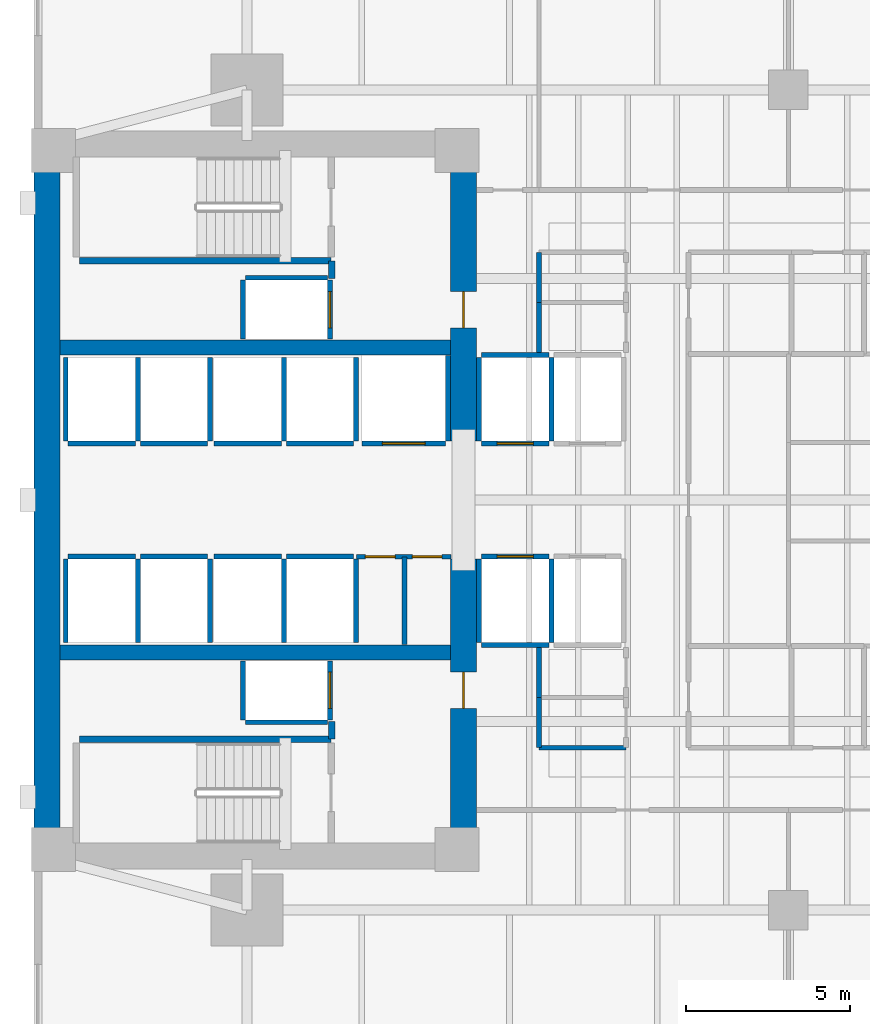
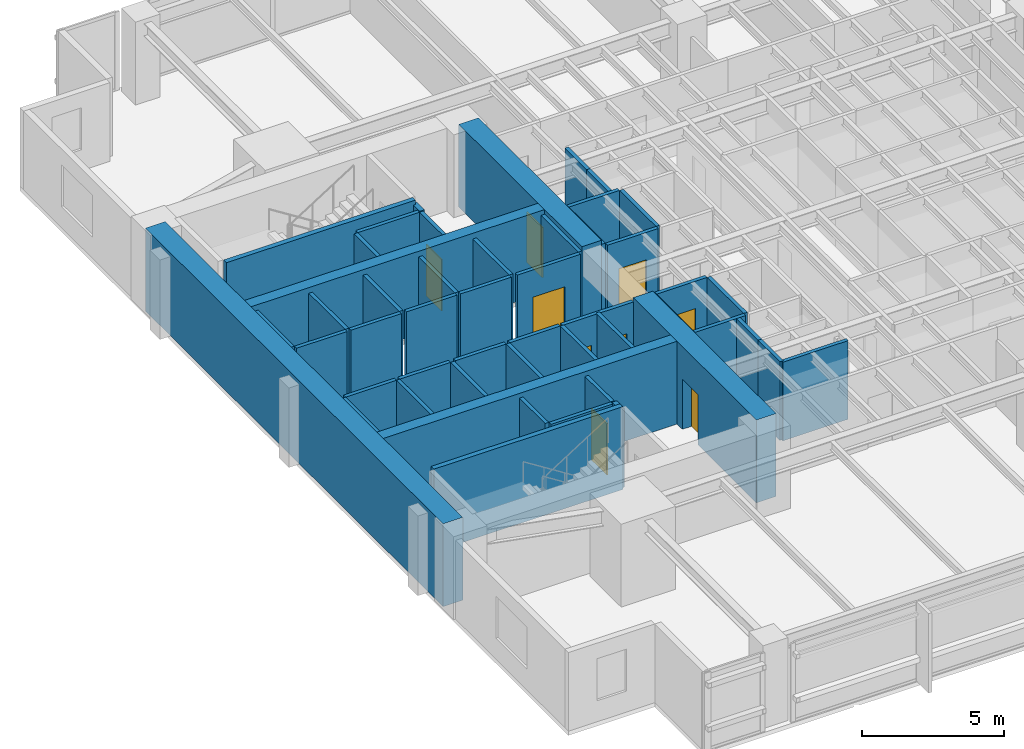
# One storey, part 8 of 15: 50 walls, 9 doors, 9 openings.
"""IFC4 building model written with IfcOpenShell, lengths in metres."""

from ifc_helpers import new_model, si_unit, direction, frame, frame_2d, origin, place, context, subcontext, project, spatial, rectangle, extrude, material, layer, layer_set, type_object, element, fill, save


model = new_model("IFC4")

# Units and contexts
model_context = context("Model", 3, precision=1e-05, world=origin(), true_north=direction((0.0, 1.0)))
body_context = subcontext(model_context, "Body", "Model", "MODEL_VIEW")
ifc_project = project(units=[si_unit("LENGTHUNIT", "METRE"), si_unit("AREAUNIT", "SQUARE_METRE"), si_unit("VOLUMEUNIT", "CUBIC_METRE"), si_unit("PLANEANGLEUNIT", "RADIAN"), si_unit("MASSUNIT", "GRAM", prefix="KILO")], contexts=[model_context])

# Site, building, storey
site_placement = place(None, origin())
site = spatial("IfcSite", under=ifc_project, at=site_placement, CompositionType="ELEMENT")
building_placement = place(site_placement, origin())
building = spatial("IfcBuilding", under=site, at=building_placement, Name="Kinhvarn Gate Tower", CompositionType="ELEMENT")
storey_placement = place(building_placement, frame((0.0, 0.0, 68.199951171875)))
storey = spatial("IfcBuildingStorey", under=building, at=storey_placement, Name="L17", CompositionType="ELEMENT", Elevation=68.199951171875)

# Walls
ifc_material_1 = material(Name="Concrete C50/60", Category="concrete")
ifc_layer_1 = layer(ifc_material_1, 0.449951171875)
ifc_layer_set_1 = layer_set([ifc_layer_1], Name="Concrete C50/60")
wall_type_1 = type_object("IfcWallType", Name="WL-CORE-450", PredefinedType="SHEAR", material=ifc_layer_set_1)
for number, where, z_axis, x_axis, name in (
    (1, (5.300048828125, 20.60009765625, 0.0), (0.0, 0.0, 1.0), (1.0, 0.0, 0.0), "Core South Spine Shear Wall L17 450 mm"),
    (2, (5.300048828125, 29.89990234375, 0.0), (0.0, 0.0, 1.0), (1.0, 0.0, 0.0), "Core North Spine Shear Wall L17 450 mm"),
):
    element("IfcWall", number, at=place(storey_placement, frame(where, z_axis=z_axis, x_axis=x_axis)), inside=storey, type_object=wall_type_1, Name=name, PredefinedType="SHEAR", context=body_context, shape_type="SweptSolid", body=[
        extrude(rectangle(XDim=11.89990234375, YDim=0.449951171875, at=frame_2d((5.949951171875, 0.0))), origin(), (0.0, 0.0, 1.0), 3.550048828125),
    ])

# Wall, opening, door
ifc_material_2 = material(Name="Concrete C70/85", Category="concrete")
ifc_layer_2 = layer(ifc_material_2, 0.800048828125)
ifc_layer_set_2 = layer_set([ifc_layer_2], Name="Concrete C70/85")
wall_type_2 = type_object("IfcWallType", Name="WL-CORE-800", PredefinedType="SHEAR", material=ifc_layer_set_2)
wall_1_placement = place(storey_placement, frame((17.60009765625, 14.800048828125, 0.0), z_axis=(0.0, 0.0, 1.0), x_axis=(0.0, 1.0, 0.0)))
wall_1 = element("IfcWall", 3, at=wall_1_placement, inside=storey, type_object=wall_type_2, Name="Core East-South Shear Pier L17 800 mm", PredefinedType="SHEAR", context=body_context, shape_type="SweptSolid", body=[
    extrude(rectangle(XDim=8.64990234375, YDim=0.800048828125, at=frame_2d((4.324951171875, 0.0))), origin(), (0.0, 0.0, 1.0), 3.550048828125),
])
opening_1_placement = place(wall_1_placement, frame((4.10009765625, 0.0, 0.0)))
opening_1 = element("IfcOpeningElement", 4, at=opening_1_placement, cuts=wall_1, Name="Opening FD-02", PredefinedType="OPENING", context=body_context, shape_type="SweptSolid", body=[
    extrude(rectangle(XDim=1.10009765625, YDim=2.14990234375, at=frame_2d((0.550048828125, 1.074951171875))), frame((0.0, 0.41015625, 0.0), z_axis=(0.0, -1.0, 0.0), x_axis=(1.0, 0.0, 0.0)), (0.0, 0.0, 1.0), 0.820068359375),
])
ifc_material_3 = material(Name="Anodised aluminium AW-6063", Category="aluminium")
door_type_1 = type_object("IfcDoorType", Name="DR-FD-1100", OperationType="NOTDEFINED", PredefinedType="DOOR", material=ifc_material_3)
door_1_placement = place(opening_1_placement, origin())
door_1 = element("IfcDoor", 5, at=door_1_placement, inside=storey, type_object=door_type_1, Name="Firefighting Lobby Core Door (L17)", OperationType="SINGLE_SWING_RIGHT", OverallHeight=2.14990234375, OverallWidth=1.10009765625, PredefinedType="DOOR", context=body_context, shape_type="SweptSolid", body=[
    extrude(rectangle(XDim=1.10009765625, YDim=2.14990234375, at=frame_2d((0.550048828125, 1.074951171875))), frame((0.0, 0.02490234375, 0.0), z_axis=(0.0, -1.0, 0.0), x_axis=(1.0, 0.0, 0.0)), (0.0, 0.0, 1.0), 0.050048828125),
])
fill(opening_1, door_1)

wall_2_placement = place(storey_placement, frame((17.60009765625, 27.050048828125, 0.0), z_axis=(0.0, 0.0, 1.0), x_axis=(0.0, 1.0, 0.0)))
wall_2 = element("IfcWall", 6, at=wall_2_placement, inside=storey, type_object=wall_type_2, Name="Core East-North Shear Pier L17 800 mm", PredefinedType="SHEAR", context=body_context, shape_type="SweptSolid", body=[
    extrude(rectangle(XDim=8.64990234375, YDim=0.800048828125, at=frame_2d((4.324951171875, 0.0))), origin(), (0.0, 0.0, 1.0), 3.550048828125),
])
opening_2_placement = place(wall_2_placement, frame((3.449951171875, 0.0, 0.0)))
opening_2 = element("IfcOpeningElement", 7, at=opening_2_placement, cuts=wall_2, Name="Opening FD-02", PredefinedType="OPENING", context=body_context, shape_type="SweptSolid", body=[
    extrude(rectangle(XDim=1.10009765625, YDim=2.14990234375, at=frame_2d((0.550048828125, 1.074951171875))), frame((0.0, 0.41015625, 0.0), z_axis=(0.0, -1.0, 0.0), x_axis=(1.0, 0.0, 0.0)), (0.0, 0.0, 1.0), 0.820068359375),
])
door_2_placement = place(opening_2_placement, origin())
door_2 = element("IfcDoor", 8, at=door_2_placement, inside=storey, type_object=door_type_1, Name="Firefighting Lobby Core Door (L17)", OperationType="SINGLE_SWING_LEFT", OverallHeight=2.14990234375, OverallWidth=1.10009765625, PredefinedType="DOOR", context=body_context, shape_type="SweptSolid", body=[
    extrude(rectangle(XDim=1.10009765625, YDim=2.14990234375, at=frame_2d((0.550048828125, 1.074951171875))), frame((0.0, 0.02490234375, 0.0), z_axis=(0.0, -1.0, 0.0), x_axis=(1.0, 0.0, 0.0)), (0.0, 0.0, 1.0), 0.050048828125),
])
fill(opening_2, door_2)

# Walls
ifc_layer_3 = layer(ifc_material_2, 0.800048828125)
ifc_layer_set_3 = layer_set([ifc_layer_3], Name="Concrete C70/85")
wall_type_3 = type_object("IfcWallType", Name="WL-COREX-800", PredefinedType="SHEAR", material=ifc_layer_set_3)
wall_3_placement = place(storey_placement, frame((4.89990234375, 14.800048828125, 0.0), z_axis=(0.0, 0.0, 1.0), x_axis=(0.0, 1.0, 0.0)))
element("IfcWall", 9, at=wall_3_placement, inside=storey, type_object=wall_type_3, Name="Core West Shear Wall L17 800 mm", PredefinedType="SHEAR", context=body_context, shape_type="SweptSolid", body=[
    extrude(rectangle(XDim=20.89990234375, YDim=0.800048828125, at=frame_2d((10.449951171875, 0.0))), origin(), (0.0, 0.0, 1.0), 3.550048828125),
])
ifc_material_4 = material(Name="Gypsum acoustic partition board")
ifc_layer_4 = layer(ifc_material_4, 0.14990234375)
ifc_layer_set_4 = layer_set([ifc_layer_4], Name="Gypsum acoustic partition board")
wall_type_4 = type_object("IfcWallType", Name="WL-PRT-150F", PredefinedType="PARTITIONING", material=ifc_layer_set_4)
wall_4_placement = place(storey_placement, frame((15.800048828125, 20.85009765625, 0.0), z_axis=(0.0, 0.0, 1.0), x_axis=(0.0, 1.0, 0.0)))
element("IfcWall", 10, at=wall_4_placement, inside=storey, type_object=wall_type_4, Name="Interior Partition PW-150F (L17)", PredefinedType="PARTITIONING", context=body_context, shape_type="SweptSolid", body=[
    extrude(rectangle(XDim=2.669921875, YDim=0.14990234375, at=frame_2d((1.3349609375, 0.0))), origin(), (0.0, 0.0, 1.0), 3.3701171875),
])

# Wall, openings, doors
wall_5_placement = place(storey_placement, frame((14.330078125, 23.52001953125, 0.0), z_axis=(0.0, 0.0, 1.0), x_axis=(1.0, 0.0, 0.0)))
wall_5 = element("IfcWall", 11, at=wall_5_placement, inside=storey, type_object=wall_type_4, Name="Interior Partition PW-150F (L17)", PredefinedType="PARTITIONING", context=body_context, shape_type="SweptSolid", body=[
    extrude(rectangle(XDim=2.889892578125, YDim=0.14990234375, at=frame_2d((1.44482421875, 0.0))), origin(), (0.0, 0.0, 1.0), 3.3701171875),
])
opening_3_placement = place(wall_5_placement, frame((0.280029296875, 0.0, 0.0)))
opening_3 = element("IfcOpeningElement", 12, at=opening_3_placement, cuts=wall_5, Name="Opening FD-04", PredefinedType="OPENING", context=body_context, shape_type="SweptSolid", body=[
    extrude(rectangle(XDim=0.89990234375, YDim=2.10009765625, at=frame_2d((0.449951171875, 1.050048828125))), frame((0.0, 0.0849609375, 0.0), z_axis=(0.0, -1.0, 0.0), x_axis=(1.0, 0.0, 0.0)), (0.0, 0.0, 1.0), 0.169921875),
])
opening_4_placement = place(wall_5_placement, frame((1.7099609375, 0.0, 0.0)))
opening_4 = element("IfcOpeningElement", 13, at=opening_4_placement, cuts=wall_5, Name="Opening FD-04", PredefinedType="OPENING", context=body_context, shape_type="SweptSolid", body=[
    extrude(rectangle(XDim=0.89990234375, YDim=2.10009765625, at=frame_2d((0.449951171875, 1.050048828125))), frame((0.0, 0.0849609375, 0.0), z_axis=(0.0, -1.0, 0.0), x_axis=(1.0, 0.0, 0.0)), (0.0, 0.0, 1.0), 0.169921875),
])
door_type_2 = type_object("IfcDoorType", Name="DR-FD-900", OperationType="NOTDEFINED", PredefinedType="DOOR", material=ifc_material_3)
door_3_placement = place(opening_3_placement, origin())
door_3 = element("IfcDoor", 14, at=door_3_placement, inside=storey, type_object=door_type_2, Name="Rated Riser & Service Closet Fire Door 900x2100 mm (L17)", OperationType="SINGLE_SWING_RIGHT", OverallHeight=2.10009765625, OverallWidth=0.89990234375, PredefinedType="DOOR", context=body_context, shape_type="SweptSolid", body=[
    extrude(rectangle(XDim=0.89990234375, YDim=2.10009765625, at=frame_2d((0.449951171875, 1.050048828125))), frame((0.0, 0.02490234375, 0.0), z_axis=(0.0, -1.0, 0.0), x_axis=(1.0, 0.0, 0.0)), (0.0, 0.0, 1.0), 0.050048828125),
])
fill(opening_3, door_3)
door_4_placement = place(opening_4_placement, origin())
door_4 = element("IfcDoor", 15, at=door_4_placement, inside=storey, type_object=door_type_2, Name="Rated Riser & Service Closet Fire Door 900x2100 mm (L17)", OperationType="SINGLE_SWING_LEFT", OverallHeight=2.10009765625, OverallWidth=0.89990234375, PredefinedType="DOOR", context=body_context, shape_type="SweptSolid", body=[
    extrude(rectangle(XDim=0.89990234375, YDim=2.10009765625, at=frame_2d((0.449951171875, 1.050048828125))), frame((0.0, 0.02490234375, 0.0), z_axis=(0.0, -1.0, 0.0), x_axis=(1.0, 0.0, 0.0)), (0.0, 0.0, 1.0), 0.050048828125),
])
fill(opening_4, door_4)

# Walls
wall_6_placement = place(storey_placement, frame((19.89990234375, 17.699951171875, 0.0), z_axis=(0.0, 0.0, 1.0), x_axis=(0.0, 1.0, 0.0)))
element("IfcWall", 16, at=wall_6_placement, inside=storey, type_object=wall_type_4, Name="Interior Partition PW-150F (L17)", PredefinedType="PARTITIONING", context=body_context, shape_type="SweptSolid", body=[
    extrude(rectangle(XDim=1.530029296875, YDim=0.14990234375, at=frame_2d((0.76513671875, 0.0))), origin(), (0.0, 0.0, 1.0), 3.3701171875),
])
for number, where, z_axis, x_axis, name in (
    (17, (19.89990234375, 19.22998046875, 0.0), (0.0, 0.0, 1.0), (0.0, 1.0, 0.0), "Interior Partition PW-150F (L17)"),
    (18, (19.89990234375, 29.75, 0.0), (0.0, 0.0, 1.0), (0.0, 1.0, 0.0), "Interior Partition PW-150F (L17)"),
):
    element("IfcWall", number, at=place(storey_placement, frame(where, z_axis=z_axis, x_axis=x_axis)), inside=storey, type_object=wall_type_4, Name=name, PredefinedType="PARTITIONING", context=body_context, shape_type="SweptSolid", body=[
        extrude(rectangle(XDim=1.52001953125, YDim=0.14990234375, at=frame_2d((0.760009765625, 0.0))), origin(), (0.0, 0.0, 1.0), 3.3701171875),
    ])
wall_7_placement = place(storey_placement, frame((19.89990234375, 31.27001953125, 0.0), z_axis=(0.0, 0.0, 1.0), x_axis=(0.0, 1.0, 0.0)))
element("IfcWall", 19, at=wall_7_placement, inside=storey, type_object=wall_type_4, Name="Interior Partition PW-150F (L17)", PredefinedType="PARTITIONING", context=body_context, shape_type="SweptSolid", body=[
    extrude(rectangle(XDim=1.530029296875, YDim=0.14990234375, at=frame_2d((0.76513671875, 0.0))), origin(), (0.0, 0.0, 1.0), 3.3701171875),
])
wall_8_placement = place(storey_placement, frame((19.89990234375, 17.699951171875, 0.0), z_axis=(0.0, 0.0, 1.0), x_axis=(1.0, 0.0, 0.0)))
element("IfcWall", 20, at=wall_8_placement, inside=storey, type_object=wall_type_4, Name="Interior Partition PW-150F (L17)", PredefinedType="PARTITIONING", context=body_context, shape_type="SweptSolid", body=[
    extrude(rectangle(XDim=2.650146484375, YDim=0.14990234375, at=frame_2d((1.3251953125, 0.0))), origin(), (0.0, 0.0, 1.0), 3.3701171875),
])
ifc_layer_5 = layer(ifc_material_4, 0.199951171875)
ifc_layer_set_5 = layer_set([ifc_layer_5], Name="Gypsum acoustic partition board")
wall_type_5 = type_object("IfcWallType", Name="WL-PRT-200", PredefinedType="PARTITIONING", material=ifc_layer_set_5)
for number, where, z_axis, x_axis, name in (
    (21, (13.580078125, 17.9599609375, 0.0), (0.0, 0.0, 1.0), (0.0, 1.0, 0.0), "Interior Partition PW-200 (L17)"),
    (22, (13.580078125, 32.0, 0.0), (0.0, 0.0, 1.0), (0.0, 1.0, 0.0), "Interior Partition PW-200 (L17)"),
):
    element("IfcWall", number, at=place(storey_placement, frame(where, z_axis=z_axis, x_axis=x_axis)), inside=storey, type_object=wall_type_5, Name=name, PredefinedType="PARTITIONING", context=body_context, shape_type="SweptSolid", body=[
        extrude(rectangle(XDim=0.5400390625, YDim=0.199951171875, at=frame_2d((0.27001953125, 0.0))), origin(), (0.0, 0.0, 1.0), 3.3701171875),
    ])
ifc_layer_6 = layer(ifc_material_4, 0.14990234375)
ifc_layer_set_6 = layer_set([ifc_layer_6], Name="Gypsum acoustic partition board")
wall_type_6 = type_object("IfcWallType", Name="WL-SHF-150", PredefinedType="PARTITIONING", material=ifc_layer_set_6)
wall_9_placement = place(storey_placement, frame((18.14990234375, 20.824951171875, 0.0), z_axis=(0.0, 0.0, 1.0), x_axis=(1.0, 0.0, 0.0)))
element("IfcWall", 23, at=wall_9_placement, inside=storey, type_object=wall_type_6, Name="Elevator PL-01 Hoistway Wall S (L17)", PredefinedType="PARTITIONING", context=body_context, shape_type="SweptSolid", body=[
    extrude(rectangle(XDim=2.050048828125, YDim=0.14990234375, at=frame_2d((1.02490234375, 0.0))), origin(), (0.0, 0.0, 1.0), 3.3701171875),
])

# Wall, opening, door
wall_10_placement = place(storey_placement, frame((18.14990234375, 23.52490234375, 0.0), z_axis=(0.0, 0.0, 1.0), x_axis=(1.0, 0.0, 0.0)))
wall_10 = element("IfcWall", 24, at=wall_10_placement, inside=storey, type_object=wall_type_6, Name="Elevator PL-01 Landing Wall (L17)", PredefinedType="PARTITIONING", context=body_context, shape_type="SweptSolid", body=[
    extrude(rectangle(XDim=2.050048828125, YDim=0.14990234375, at=frame_2d((1.02490234375, 0.0))), origin(), (0.0, 0.0, 1.0), 3.3701171875),
])
opening_5_placement = place(wall_10_placement, frame((0.47509765625, 0.0, 0.0)))
opening_5 = element("IfcOpeningElement", 25, at=opening_5_placement, cuts=wall_10, Name="Opening LD-01", PredefinedType="OPENING", context=body_context, shape_type="SweptSolid", body=[
    extrude(rectangle(XDim=1.10009765625, YDim=2.199951171875, at=frame_2d((0.550048828125, 1.10009765625))), frame((0.0, 0.0849609375, 0.0), z_axis=(0.0, -1.0, 0.0), x_axis=(1.0, 0.0, 0.0)), (0.0, 0.0, 1.0), 0.169921875),
])
door_type_3 = type_object("IfcDoorType", Name="DR-LND-PAS", OperationType="NOTDEFINED", PredefinedType="DOOR", material=ifc_material_3)
door_5_placement = place(opening_5_placement, origin())
door_5 = element("IfcDoor", 26, at=door_5_placement, inside=storey, type_object=door_type_3, Name="Elevator PL-01 Sliding Landing Door (L17)", OperationType="DOUBLE_DOOR_SLIDING", OverallHeight=2.199951171875, OverallWidth=1.10009765625, PredefinedType="DOOR", context=body_context, shape_type="SweptSolid", body=[
    extrude(rectangle(XDim=1.10009765625, YDim=2.199951171875, at=frame_2d((0.550048828125, 1.10009765625))), frame((0.0, 0.02490234375, 0.0), z_axis=(0.0, -1.0, 0.0), x_axis=(1.0, 0.0, 0.0)), (0.0, 0.0, 1.0), 0.050048828125),
])
fill(opening_5, door_5)

# Walls
for number, where, z_axis, x_axis, name in (
    (27, (18.074951171875, 20.89990234375, 0.0), (0.0, 0.0, 1.0), (0.0, 1.0, 0.0), "Elevator PL-01 Hoistway Wall W (L17)"),
    (28, (20.27490234375, 20.89990234375, 0.0), (0.0, 0.0, 1.0), (0.0, 1.0, 0.0), "Elevator PL-01 Hoistway Wall E (L17)"),
):
    element("IfcWall", number, at=place(storey_placement, frame(where, z_axis=z_axis, x_axis=x_axis)), inside=storey, type_object=wall_type_6, Name=name, PredefinedType="PARTITIONING", context=body_context, shape_type="SweptSolid", body=[
        extrude(rectangle(XDim=2.550048828125, YDim=0.14990234375, at=frame_2d((1.27490234375, 0.0))), origin(), (0.0, 0.0, 1.0), 3.3701171875),
    ])

# Wall, opening, door
wall_11_placement = place(storey_placement, frame((18.14990234375, 26.97509765625, 0.0), z_axis=(0.0, 0.0, 1.0), x_axis=(1.0, 0.0, 0.0)))
wall_11 = element("IfcWall", 29, at=wall_11_placement, inside=storey, type_object=wall_type_6, Name="Elevator PL-03 Landing Wall (L17)", PredefinedType="PARTITIONING", context=body_context, shape_type="SweptSolid", body=[
    extrude(rectangle(XDim=2.050048828125, YDim=0.14990234375, at=frame_2d((1.02490234375, 0.0))), origin(), (0.0, 0.0, 1.0), 3.3701171875),
])
opening_6_placement = place(wall_11_placement, frame((0.47509765625, 0.0, 0.0)))
opening_6 = element("IfcOpeningElement", 30, at=opening_6_placement, cuts=wall_11, Name="Opening LD-01", PredefinedType="OPENING", context=body_context, shape_type="SweptSolid", body=[
    extrude(rectangle(XDim=1.10009765625, YDim=2.199951171875, at=frame_2d((0.550048828125, 1.10009765625))), frame((0.0, 0.0849609375, 0.0), z_axis=(0.0, -1.0, 0.0), x_axis=(1.0, 0.0, 0.0)), (0.0, 0.0, 1.0), 0.169921875),
])
door_6_placement = place(opening_6_placement, origin())
door_6 = element("IfcDoor", 31, at=door_6_placement, inside=storey, type_object=door_type_3, Name="Elevator PL-03 Sliding Landing Door (L17)", OperationType="DOUBLE_DOOR_SLIDING", OverallHeight=2.199951171875, OverallWidth=1.10009765625, PredefinedType="DOOR", context=body_context, shape_type="SweptSolid", body=[
    extrude(rectangle(XDim=1.10009765625, YDim=2.199951171875, at=frame_2d((0.550048828125, 1.10009765625))), frame((0.0, 0.02490234375, 0.0), z_axis=(0.0, -1.0, 0.0), x_axis=(1.0, 0.0, 0.0)), (0.0, 0.0, 1.0), 0.050048828125),
])
fill(opening_6, door_6)

# Walls
wall_12_placement = place(storey_placement, frame((18.14990234375, 29.675048828125, 0.0), z_axis=(0.0, 0.0, 1.0), x_axis=(1.0, 0.0, 0.0)))
element("IfcWall", 32, at=wall_12_placement, inside=storey, type_object=wall_type_6, Name="Elevator PL-03 Hoistway Wall N (L17)", PredefinedType="PARTITIONING", context=body_context, shape_type="SweptSolid", body=[
    extrude(rectangle(XDim=2.050048828125, YDim=0.14990234375, at=frame_2d((1.02490234375, 0.0))), origin(), (0.0, 0.0, 1.0), 3.3701171875),
])
for number, where, z_axis, x_axis, name in (
    (33, (18.074951171875, 27.050048828125, 0.0), (0.0, 0.0, 1.0), (0.0, 1.0, 0.0), "Elevator PL-03 Hoistway Wall W (L17)"),
    (34, (20.27490234375, 27.050048828125, 0.0), (0.0, 0.0, 1.0), (0.0, 1.0, 0.0), "Elevator PL-03 Hoistway Wall E (L17)"),
):
    element("IfcWall", number, at=place(storey_placement, frame(where, z_axis=z_axis, x_axis=x_axis)), inside=storey, type_object=wall_type_6, Name=name, PredefinedType="PARTITIONING", context=body_context, shape_type="SweptSolid", body=[
        extrude(rectangle(XDim=2.550048828125, YDim=0.14990234375, at=frame_2d((1.27490234375, 0.0))), origin(), (0.0, 0.0, 1.0), 3.3701171875),
    ])
wall_13_placement = place(storey_placement, frame((5.550048828125, 23.52490234375, 0.0), z_axis=(0.0, 0.0, 1.0), x_axis=(1.0, 0.0, 0.0)))
element("IfcWall", 35, at=wall_13_placement, inside=storey, type_object=wall_type_6, Name="Elevator PM-05 Landing Wall (L17)", PredefinedType="PARTITIONING", context=body_context, shape_type="SweptSolid", body=[
    extrude(rectangle(XDim=2.050048828125, YDim=0.14990234375, at=frame_2d((1.02490234375, 0.0))), origin(), (0.0, 0.0, 1.0), 3.3701171875),
])
for number, where, z_axis, x_axis, name in (
    (36, (5.47509765625, 20.89990234375, 0.0), (0.0, 0.0, 1.0), (0.0, 1.0, 0.0), "Elevator PM-05 Hoistway Wall W (L17)"),
    (37, (7.675048828125, 20.89990234375, 0.0), (0.0, 0.0, 1.0), (0.0, 1.0, 0.0), "Elevator PM-05 Hoistway Wall E (L17)"),
):
    element("IfcWall", number, at=place(storey_placement, frame(where, z_axis=z_axis, x_axis=x_axis)), inside=storey, type_object=wall_type_6, Name=name, PredefinedType="PARTITIONING", context=body_context, shape_type="SweptSolid", body=[
        extrude(rectangle(XDim=2.550048828125, YDim=0.14990234375, at=frame_2d((1.27490234375, 0.0))), origin(), (0.0, 0.0, 1.0), 3.3701171875),
    ])
wall_14_placement = place(storey_placement, frame((7.75, 23.52490234375, 0.0), z_axis=(0.0, 0.0, 1.0), x_axis=(1.0, 0.0, 0.0)))
element("IfcWall", 38, at=wall_14_placement, inside=storey, type_object=wall_type_6, Name="Elevator PM-06 Landing Wall (L17)", PredefinedType="PARTITIONING", context=body_context, shape_type="SweptSolid", body=[
    extrude(rectangle(XDim=2.050048828125, YDim=0.14990234375, at=frame_2d((1.02490234375, 0.0))), origin(), (0.0, 0.0, 1.0), 3.3701171875),
])
wall_15_placement = place(storey_placement, frame((9.875, 20.89990234375, 0.0), z_axis=(0.0, 0.0, 1.0), x_axis=(0.0, 1.0, 0.0)))
element("IfcWall", 39, at=wall_15_placement, inside=storey, type_object=wall_type_6, Name="Elevator PM-06 Hoistway Wall E (L17)", PredefinedType="PARTITIONING", context=body_context, shape_type="SweptSolid", body=[
    extrude(rectangle(XDim=2.550048828125, YDim=0.14990234375, at=frame_2d((1.27490234375, 0.0))), origin(), (0.0, 0.0, 1.0), 3.3701171875),
])
wall_16_placement = place(storey_placement, frame((5.550048828125, 26.97509765625, 0.0), z_axis=(0.0, 0.0, 1.0), x_axis=(1.0, 0.0, 0.0)))
element("IfcWall", 40, at=wall_16_placement, inside=storey, type_object=wall_type_6, Name="Elevator PM-07 Landing Wall (L17)", PredefinedType="PARTITIONING", context=body_context, shape_type="SweptSolid", body=[
    extrude(rectangle(XDim=2.050048828125, YDim=0.14990234375, at=frame_2d((1.02490234375, 0.0))), origin(), (0.0, 0.0, 1.0), 3.3701171875),
])
for number, where, z_axis, x_axis, name in (
    (41, (5.47509765625, 27.050048828125, 0.0), (0.0, 0.0, 1.0), (0.0, 1.0, 0.0), "Elevator PM-07 Hoistway Wall W (L17)"),
    (42, (7.675048828125, 27.050048828125, 0.0), (0.0, 0.0, 1.0), (0.0, 1.0, 0.0), "Elevator PM-07 Hoistway Wall E (L17)"),
):
    element("IfcWall", number, at=place(storey_placement, frame(where, z_axis=z_axis, x_axis=x_axis)), inside=storey, type_object=wall_type_6, Name=name, PredefinedType="PARTITIONING", context=body_context, shape_type="SweptSolid", body=[
        extrude(rectangle(XDim=2.550048828125, YDim=0.14990234375, at=frame_2d((1.27490234375, 0.0))), origin(), (0.0, 0.0, 1.0), 3.3701171875),
    ])
wall_17_placement = place(storey_placement, frame((7.75, 26.97509765625, 0.0), z_axis=(0.0, 0.0, 1.0), x_axis=(1.0, 0.0, 0.0)))
element("IfcWall", 43, at=wall_17_placement, inside=storey, type_object=wall_type_6, Name="Elevator PM-08 Landing Wall (L17)", PredefinedType="PARTITIONING", context=body_context, shape_type="SweptSolid", body=[
    extrude(rectangle(XDim=2.050048828125, YDim=0.14990234375, at=frame_2d((1.02490234375, 0.0))), origin(), (0.0, 0.0, 1.0), 3.3701171875),
])
wall_18_placement = place(storey_placement, frame((9.875, 27.050048828125, 0.0), z_axis=(0.0, 0.0, 1.0), x_axis=(0.0, 1.0, 0.0)))
element("IfcWall", 44, at=wall_18_placement, inside=storey, type_object=wall_type_6, Name="Elevator PM-08 Hoistway Wall E (L17)", PredefinedType="PARTITIONING", context=body_context, shape_type="SweptSolid", body=[
    extrude(rectangle(XDim=2.550048828125, YDim=0.14990234375, at=frame_2d((1.27490234375, 0.0))), origin(), (0.0, 0.0, 1.0), 3.3701171875),
])
wall_19_placement = place(storey_placement, frame((10.0, 23.52490234375, 0.0), z_axis=(0.0, 0.0, 1.0), x_axis=(1.0, 0.0, 0.0)))
element("IfcWall", 45, at=wall_19_placement, inside=storey, type_object=wall_type_6, Name="Elevator PH-09 Landing Wall (L17)", PredefinedType="PARTITIONING", context=body_context, shape_type="SweptSolid", body=[
    extrude(rectangle(XDim=2.050048828125, YDim=0.14990234375, at=frame_2d((1.02490234375, 0.0))), origin(), (0.0, 0.0, 1.0), 3.3701171875),
])
wall_20_placement = place(storey_placement, frame((12.125, 20.89990234375, 0.0), z_axis=(0.0, 0.0, 1.0), x_axis=(0.0, 1.0, 0.0)))
element("IfcWall", 46, at=wall_20_placement, inside=storey, type_object=wall_type_6, Name="Elevator PH-09 Hoistway Wall E (L17)", PredefinedType="PARTITIONING", context=body_context, shape_type="SweptSolid", body=[
    extrude(rectangle(XDim=2.550048828125, YDim=0.14990234375, at=frame_2d((1.27490234375, 0.0))), origin(), (0.0, 0.0, 1.0), 3.3701171875),
])
wall_21_placement = place(storey_placement, frame((12.199951171875, 23.52490234375, 0.0), z_axis=(0.0, 0.0, 1.0), x_axis=(1.0, 0.0, 0.0)))
element("IfcWall", 47, at=wall_21_placement, inside=storey, type_object=wall_type_6, Name="Elevator PH-10 Landing Wall (L17)", PredefinedType="PARTITIONING", context=body_context, shape_type="SweptSolid", body=[
    extrude(rectangle(XDim=2.050048828125, YDim=0.14990234375, at=frame_2d((1.02490234375, 0.0))), origin(), (0.0, 0.0, 1.0), 3.3701171875),
])
wall_22_placement = place(storey_placement, frame((14.324951171875, 20.89990234375, 0.0), z_axis=(0.0, 0.0, 1.0), x_axis=(0.0, 1.0, 0.0)))
element("IfcWall", 48, at=wall_22_placement, inside=storey, type_object=wall_type_6, Name="Elevator PH-10 Hoistway Wall E (L17)", PredefinedType="PARTITIONING", context=body_context, shape_type="SweptSolid", body=[
    extrude(rectangle(XDim=2.550048828125, YDim=0.14990234375, at=frame_2d((1.27490234375, 0.0))), origin(), (0.0, 0.0, 1.0), 3.3701171875),
])
wall_23_placement = place(storey_placement, frame((10.0, 26.97509765625, 0.0), z_axis=(0.0, 0.0, 1.0), x_axis=(1.0, 0.0, 0.0)))
element("IfcWall", 49, at=wall_23_placement, inside=storey, type_object=wall_type_6, Name="Elevator PH-11 Landing Wall (L17)", PredefinedType="PARTITIONING", context=body_context, shape_type="SweptSolid", body=[
    extrude(rectangle(XDim=2.050048828125, YDim=0.14990234375, at=frame_2d((1.02490234375, 0.0))), origin(), (0.0, 0.0, 1.0), 3.3701171875),
])
wall_24_placement = place(storey_placement, frame((12.125, 27.050048828125, 0.0), z_axis=(0.0, 0.0, 1.0), x_axis=(0.0, 1.0, 0.0)))
element("IfcWall", 50, at=wall_24_placement, inside=storey, type_object=wall_type_6, Name="Elevator PH-11 Hoistway Wall E (L17)", PredefinedType="PARTITIONING", context=body_context, shape_type="SweptSolid", body=[
    extrude(rectangle(XDim=2.550048828125, YDim=0.14990234375, at=frame_2d((1.27490234375, 0.0))), origin(), (0.0, 0.0, 1.0), 3.3701171875),
])
wall_25_placement = place(storey_placement, frame((12.199951171875, 26.97509765625, 0.0), z_axis=(0.0, 0.0, 1.0), x_axis=(1.0, 0.0, 0.0)))
element("IfcWall", 51, at=wall_25_placement, inside=storey, type_object=wall_type_6, Name="Elevator PH-12 Landing Wall (L17)", PredefinedType="PARTITIONING", context=body_context, shape_type="SweptSolid", body=[
    extrude(rectangle(XDim=2.050048828125, YDim=0.14990234375, at=frame_2d((1.02490234375, 0.0))), origin(), (0.0, 0.0, 1.0), 3.3701171875),
])
wall_26_placement = place(storey_placement, frame((14.324951171875, 27.050048828125, 0.0), z_axis=(0.0, 0.0, 1.0), x_axis=(0.0, 1.0, 0.0)))
element("IfcWall", 52, at=wall_26_placement, inside=storey, type_object=wall_type_6, Name="Elevator PH-12 Hoistway Wall E (L17)", PredefinedType="PARTITIONING", context=body_context, shape_type="SweptSolid", body=[
    extrude(rectangle(XDim=2.550048828125, YDim=0.14990234375, at=frame_2d((1.27490234375, 0.0))), origin(), (0.0, 0.0, 1.0), 3.3701171875),
])

# Wall, opening, door
wall_27_placement = place(storey_placement, frame((14.5, 26.97509765625, 0.0), z_axis=(0.0, 0.0, 1.0), x_axis=(1.0, 0.0, 0.0)))
wall_27 = element("IfcWall", 53, at=wall_27_placement, inside=storey, type_object=wall_type_6, Name="Elevator SV-01 Landing Wall (L17)", PredefinedType="PARTITIONING", context=body_context, shape_type="SweptSolid", body=[
    extrude(rectangle(XDim=2.550048828125, YDim=0.14990234375, at=frame_2d((1.27490234375, 0.0))), origin(), (0.0, 0.0, 1.0), 3.3701171875),
])
opening_7_placement = place(wall_27_placement, frame((0.625, 0.0, 0.0)))
opening_7 = element("IfcOpeningElement", 54, at=opening_7_placement, cuts=wall_27, Name="Opening LD-02", PredefinedType="OPENING", context=body_context, shape_type="SweptSolid", body=[
    extrude(rectangle(XDim=1.300048828125, YDim=2.199951171875, at=frame_2d((0.64990234375, 1.10009765625))), frame((0.0, 0.0849609375, 0.0), z_axis=(0.0, -1.0, 0.0), x_axis=(1.0, 0.0, 0.0)), (0.0, 0.0, 1.0), 0.169921875),
])
door_type_4 = type_object("IfcDoorType", Name="DR-LND-SRV", OperationType="NOTDEFINED", PredefinedType="DOOR", material=ifc_material_3)
door_7_placement = place(opening_7_placement, origin())
door_7 = element("IfcDoor", 55, at=door_7_placement, inside=storey, type_object=door_type_4, Name="Elevator SV-01 Sliding Landing Door (L17)", OperationType="DOUBLE_DOOR_SLIDING", OverallHeight=2.199951171875, OverallWidth=1.300048828125, PredefinedType="DOOR", context=body_context, shape_type="SweptSolid", body=[
    extrude(rectangle(XDim=1.300048828125, YDim=2.199951171875, at=frame_2d((0.64990234375, 1.10009765625))), frame((0.0, 0.02490234375, 0.0), z_axis=(0.0, -1.0, 0.0), x_axis=(1.0, 0.0, 0.0)), (0.0, 0.0, 1.0), 0.050048828125),
])
fill(opening_7, door_7)

# Walls
wall_28_placement = place(storey_placement, frame((17.125, 27.050048828125, 0.0), z_axis=(0.0, 0.0, 1.0), x_axis=(0.0, 1.0, 0.0)))
element("IfcWall", 56, at=wall_28_placement, inside=storey, type_object=wall_type_6, Name="Elevator SV-01 Hoistway Wall E (L17)", PredefinedType="PARTITIONING", context=body_context, shape_type="SweptSolid", body=[
    extrude(rectangle(XDim=2.599853515625, YDim=0.14990234375, at=frame_2d((1.2998046875, 0.0))), origin(), (0.0, 0.0, 1.0), 3.3701171875),
])
wall_29_placement = place(storey_placement, frame((10.949951171875, 18.47509765625, 0.0), z_axis=(0.0, 0.0, 1.0), x_axis=(1.0, 0.0, 0.0)))
element("IfcWall", 57, at=wall_29_placement, inside=storey, type_object=wall_type_6, Name="Elevator FF1 Hoistway Wall S (L17)", PredefinedType="PARTITIONING", context=body_context, shape_type="SweptSolid", body=[
    extrude(rectangle(XDim=2.5, YDim=0.14990234375, at=frame_2d((1.25, 0.0))), origin(), (0.0, 0.0, 1.0), 3.3701171875),
])
wall_30_placement = place(storey_placement, frame((10.875, 18.550048828125, 0.0), z_axis=(0.0, 0.0, 1.0), x_axis=(0.0, 1.0, 0.0)))
element("IfcWall", 58, at=wall_30_placement, inside=storey, type_object=wall_type_6, Name="Elevator FF1 Hoistway Wall W (L17)", PredefinedType="PARTITIONING", context=body_context, shape_type="SweptSolid", body=[
    extrude(rectangle(XDim=1.800048828125, YDim=0.14990234375, at=frame_2d((0.89990234375, 0.0))), origin(), (0.0, 0.0, 1.0), 3.3701171875),
])

# Wall, opening, door
wall_31_placement = place(storey_placement, frame((13.52490234375, 18.550048828125, 0.0), z_axis=(0.0, 0.0, 1.0), x_axis=(0.0, 1.0, 0.0)))
wall_31 = element("IfcWall", 59, at=wall_31_placement, inside=storey, type_object=wall_type_6, Name="Elevator FF1 Landing Wall (L17)", PredefinedType="PARTITIONING", context=body_context, shape_type="SweptSolid", body=[
    extrude(rectangle(XDim=1.800048828125, YDim=0.14990234375, at=frame_2d((0.89990234375, 0.0))), origin(), (0.0, 0.0, 1.0), 3.3701171875),
])
opening_8_placement = place(wall_31_placement, frame((0.35009765625, 0.0, 0.0)))
opening_8 = element("IfcOpeningElement", 60, at=opening_8_placement, cuts=wall_31, Name="Opening LD-03", PredefinedType="OPENING", context=body_context, shape_type="SweptSolid", body=[
    extrude(rectangle(XDim=1.10009765625, YDim=2.199951171875, at=frame_2d((0.550048828125, 1.10009765625))), frame((0.0, 0.0849609375, 0.0), z_axis=(0.0, -1.0, 0.0), x_axis=(1.0, 0.0, 0.0)), (0.0, 0.0, 1.0), 0.169921875),
])
door_type_5 = type_object("IfcDoorType", Name="DR-LND-FF", OperationType="NOTDEFINED", PredefinedType="DOOR", material=ifc_material_3)
door_8_placement = place(opening_8_placement, origin())
door_8 = element("IfcDoor", 61, at=door_8_placement, inside=storey, type_object=door_type_5, Name="Elevator FF1 Sliding Landing Door (L17)", OperationType="DOUBLE_DOOR_SLIDING", OverallHeight=2.199951171875, OverallWidth=1.10009765625, PredefinedType="DOOR", context=body_context, shape_type="SweptSolid", body=[
    extrude(rectangle(XDim=1.10009765625, YDim=2.199951171875, at=frame_2d((0.550048828125, 1.10009765625))), frame((0.0, 0.02490234375, 0.0), z_axis=(0.0, -1.0, 0.0), x_axis=(1.0, 0.0, 0.0)), (0.0, 0.0, 1.0), 0.050048828125),
])
fill(opening_8, door_8)

# Walls
wall_32_placement = place(storey_placement, frame((10.949951171875, 32.02490234375, 0.0), z_axis=(0.0, 0.0, 1.0), x_axis=(1.0, 0.0, 0.0)))
element("IfcWall", 62, at=wall_32_placement, inside=storey, type_object=wall_type_6, Name="Elevator FF2 Hoistway Wall N (L17)", PredefinedType="PARTITIONING", context=body_context, shape_type="SweptSolid", body=[
    extrude(rectangle(XDim=2.5, YDim=0.14990234375, at=frame_2d((1.25, 0.0))), origin(), (0.0, 0.0, 1.0), 3.3701171875),
])
wall_33_placement = place(storey_placement, frame((10.875, 30.14990234375, 0.0), z_axis=(0.0, 0.0, 1.0), x_axis=(0.0, 1.0, 0.0)))
element("IfcWall", 63, at=wall_33_placement, inside=storey, type_object=wall_type_6, Name="Elevator FF2 Hoistway Wall W (L17)", PredefinedType="PARTITIONING", context=body_context, shape_type="SweptSolid", body=[
    extrude(rectangle(XDim=1.800048828125, YDim=0.14990234375, at=frame_2d((0.89990234375, 0.0))), origin(), (0.0, 0.0, 1.0), 3.3701171875),
])

# Wall, opening, door
wall_34_placement = place(storey_placement, frame((13.52490234375, 30.14990234375, 0.0), z_axis=(0.0, 0.0, 1.0), x_axis=(0.0, 1.0, 0.0)))
wall_34 = element("IfcWall", 64, at=wall_34_placement, inside=storey, type_object=wall_type_6, Name="Elevator FF2 Landing Wall (L17)", PredefinedType="PARTITIONING", context=body_context, shape_type="SweptSolid", body=[
    extrude(rectangle(XDim=1.800048828125, YDim=0.14990234375, at=frame_2d((0.89990234375, 0.0))), origin(), (0.0, 0.0, 1.0), 3.3701171875),
])
opening_9_placement = place(wall_34_placement, frame((0.35009765625, 0.0, 0.0)))
opening_9 = element("IfcOpeningElement", 65, at=opening_9_placement, cuts=wall_34, Name="Opening LD-03", PredefinedType="OPENING", context=body_context, shape_type="SweptSolid", body=[
    extrude(rectangle(XDim=1.10009765625, YDim=2.199951171875, at=frame_2d((0.550048828125, 1.10009765625))), frame((0.0, 0.0849609375, 0.0), z_axis=(0.0, -1.0, 0.0), x_axis=(1.0, 0.0, 0.0)), (0.0, 0.0, 1.0), 0.169921875),
])
door_9_placement = place(opening_9_placement, origin())
door_9 = element("IfcDoor", 66, at=door_9_placement, inside=storey, type_object=door_type_5, Name="Elevator FF2 Sliding Landing Door (L17)", OperationType="DOUBLE_DOOR_SLIDING", OverallHeight=2.199951171875, OverallWidth=1.10009765625, PredefinedType="DOOR", context=body_context, shape_type="SweptSolid", body=[
    extrude(rectangle(XDim=1.10009765625, YDim=2.199951171875, at=frame_2d((0.550048828125, 1.10009765625))), frame((0.0, 0.02490234375, 0.0), z_axis=(0.0, -1.0, 0.0), x_axis=(1.0, 0.0, 0.0)), (0.0, 0.0, 1.0), 0.050048828125),
])
fill(opening_9, door_9)

# Walls
ifc_material_5 = material(Name="Concrete C40/50", Category="concrete")
ifc_layer_7 = layer(ifc_material_5, 0.199951171875)
ifc_layer_set_7 = layer_set([ifc_layer_7], Name="Concrete C40/50")
wall_type_7 = type_object("IfcWallType", Name="WL-SHF-200", PredefinedType="SOLIDWALL", material=ifc_layer_set_7)
for number, where, z_axis, x_axis, name in (
    (67, (5.89990234375, 17.9599609375, 0.0), (0.0, 0.0, 1.0), (1.0, 0.0, 0.0), "Stair ST1 North Shaft Wall (L17)"),
    (68, (5.89990234375, 32.5400390625, 0.0), (0.0, 0.0, 1.0), (1.0, 0.0, 0.0), "Stair ST2 South Shaft Wall (L17)"),
):
    element("IfcWall", number, at=place(storey_placement, frame(where, z_axis=z_axis, x_axis=x_axis)), inside=storey, type_object=wall_type_7, Name=name, PredefinedType="SOLIDWALL", context=body_context, shape_type="SweptSolid", body=[
        extrude(rectangle(XDim=7.66015625, YDim=0.199951171875, at=frame_2d((3.830078125, 0.0))), origin(), (0.0, 0.0, 1.0), 3.550048828125),
    ])

save(model, "model.ifc")
